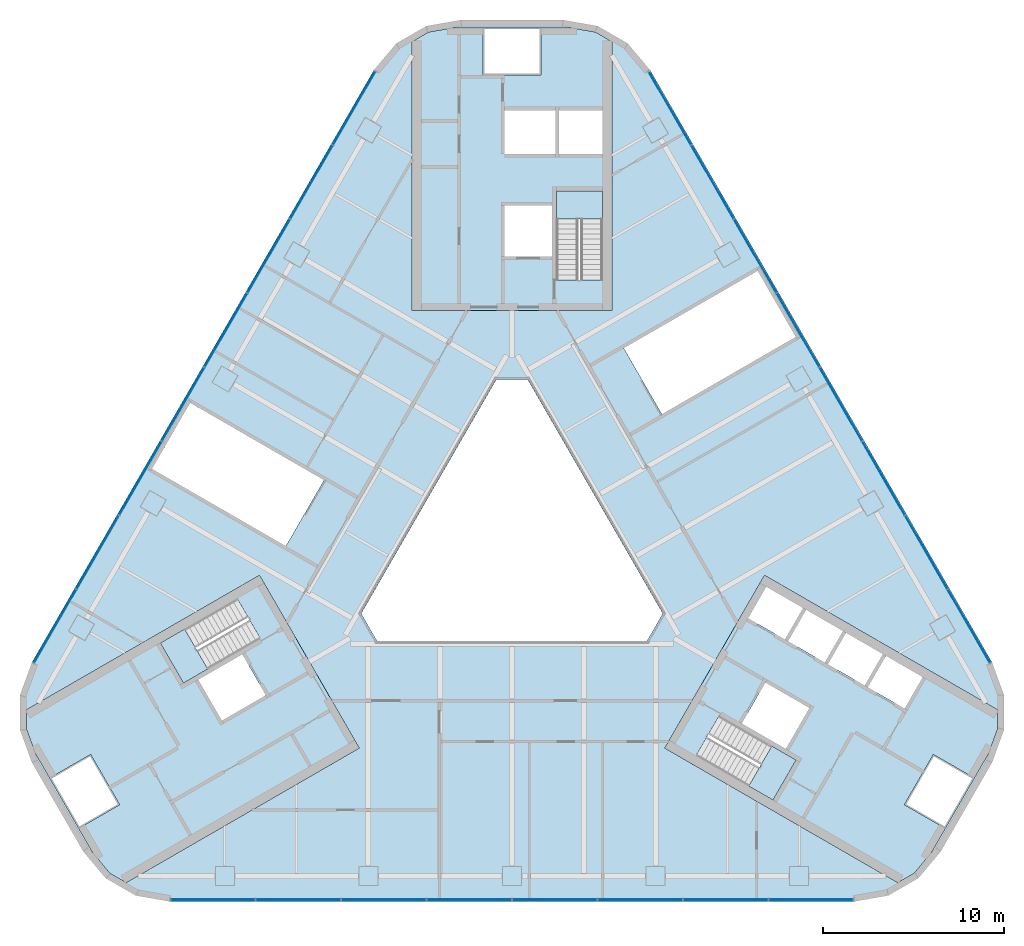
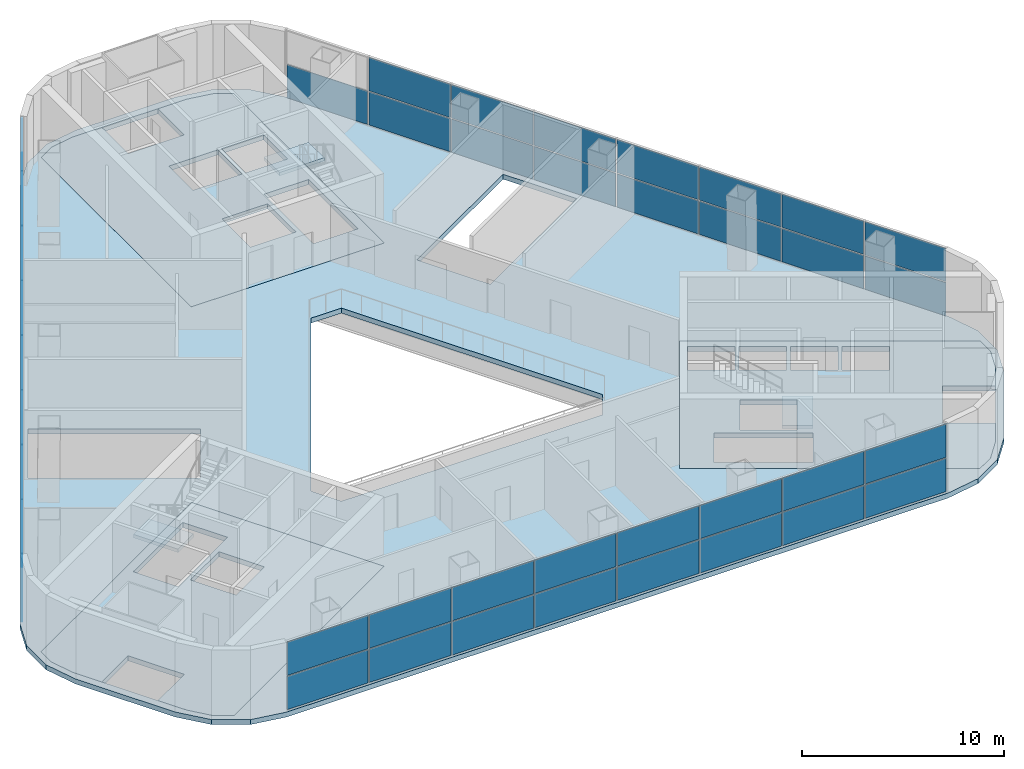
# One storey, part 6 of 12: 47 plates, 7 slabs, 6 elements without a shape of their own.
"""IFC4 building model written with IfcOpenShell, lengths in metres."""

from ifc_helpers import new_model, si_unit, direction, frame, origin, origin_2d, place, context, subcontext, project, spatial, polyline, rectangle, outline, extrude, material, layer, layer_set, type_object, element, aggregate, save


model = new_model("IFC4")

# Units and contexts
model_context = context("Model", 3, precision=1e-05, world=origin(), true_north=direction((0.0, 1.0)))
body_context = subcontext(model_context, "Body", "Model", "MODEL_VIEW")
ifc_project = project(units=[si_unit("LENGTHUNIT", "METRE"), si_unit("AREAUNIT", "SQUARE_METRE"), si_unit("VOLUMEUNIT", "CUBIC_METRE"), si_unit("PLANEANGLEUNIT", "RADIAN"), si_unit("MASSUNIT", "GRAM", prefix="KILO")], contexts=[model_context])

# Site, building, storey
site_placement = place(None, origin())
site = spatial("IfcSite", under=ifc_project, at=site_placement, CompositionType="ELEMENT")
building_placement = place(site_placement, origin())
building = spatial("IfcBuilding", under=site, at=building_placement, Name="Apuvela Tower Hotel", CompositionType="ELEMENT")
storey_placement = place(building_placement, frame((0.0, 0.0, 33.0)))
storey = spatial("IfcBuildingStorey", under=building, at=storey_placement, Name="L05", CompositionType="ELEMENT", Elevation=33.0)

# Slabs
ifc_material_1 = material(Name="Concrete C50/60", Category="concrete")
ifc_layer_1 = layer(ifc_material_1, 0.300048828125)
ifc_layer_set_1 = layer_set([ifc_layer_1], Name="COR-FLOOR-300")
slab_type_1 = type_object("IfcSlabType", Name="COR-FLOOR-300", PredefinedType="FLOOR", material=ifc_layer_set_1)
slab_1_placement = place(storey_placement, frame((0.0, 0.0, -0.300048828125)))
element("IfcSlab", 1, at=slab_1_placement, inside=storey, type_object=slab_type_1, Name="Core floor N", PredefinedType="FLOOR", context=body_context, shape_type="SweptSolid", body=[
    extrude(outline(polyline([(5.5, 27.741455078125), (4.599609375, 28.26123046875), (3.24609375, 28.5), (1.60009765625, 28.5), (1.60009765625, 25.89990234375), (-1.60009765625, 25.89990234375), (-1.60009765625, 28.5), (-3.24609375, 28.5), (-4.599609375, 28.26123046875), (-5.5, 27.741455078125), (-5.5, 12.89990234375), (5.5, 12.89990234375), (5.5, 27.741455078125)]), holes=[polyline([(5.0, 14.60595703125), (2.449951171875, 14.60595703125), (2.449951171875, 19.5), (5.0, 19.5), (5.0, 14.60595703125)]), polyline([(2.199951171875, 15.89990234375), (-0.39990234375, 15.89990234375), (-0.39990234375, 18.699951171875), (2.199951171875, 18.699951171875), (2.199951171875, 15.89990234375)]), polyline([(5.0, 21.550048828125), (2.60009765625, 21.550048828125), (2.60009765625, 23.949951171875), (5.0, 23.949951171875), (5.0, 21.550048828125)]), polyline([(2.39990234375, 21.550048828125), (-0.39990234375, 21.550048828125), (-0.39990234375, 23.949951171875), (2.39990234375, 23.949951171875), (2.39990234375, 21.550048828125)])]), origin(), (0.0, 0.0, 1.0), 0.300048828125),
])
slab_2_placement = place(storey_placement, frame((0.0, 0.0, -0.300048828125)))
element("IfcSlab", 2, at=slab_2_placement, inside=storey, type_object=slab_type_1, Name="Core floor SW", PredefinedType="FLOOR", context=body_context, shape_type="SweptSolid", body=[
    extrude(outline(polyline([(-26.77490234375, -9.107666015625), (-26.77490234375, -10.147216796875), (-26.3046875, -11.43896484375), (-25.481689453125, -12.864501953125), (-23.22998046875, -11.564453125), (-21.630126953125, -14.335693359375), (-23.881591796875, -15.635498046875), (-23.05859375, -17.06103515625), (-22.17529296875, -18.114013671875), (-21.27490234375, -18.6337890625), (-8.421630859375, -11.213134765625), (-13.921630859375, -1.68701171875), (-26.77490234375, -9.107666015625)]), holes=[polyline([(-13.874267578125, -5.18115234375), (-18.112548828125, -7.628173828125), (-19.387451171875, -5.419921875), (-15.149169921875, -2.972900390625), (-13.874267578125, -5.18115234375)]), polyline([(-13.56982421875, -8.29638671875), (-15.99462890625, -9.6962890625), (-17.294677734375, -7.444580078125), (-14.869873046875, -6.044677734375), (-13.56982421875, -8.29638671875)])]), origin(), (0.0, 0.0, 1.0), 0.300048828125),
])
slab_3_placement = place(storey_placement, frame((0.0, 0.0, -0.300048828125)))
element("IfcSlab", 3, at=slab_3_placement, inside=storey, type_object=slab_type_1, Name="Core floor SE", PredefinedType="FLOOR", context=body_context, shape_type="SweptSolid", body=[
    extrude(outline(polyline([(21.27490234375, -18.6337890625), (22.17529296875, -18.114013671875), (23.05859375, -17.06103515625), (23.881591796875, -15.635498046875), (21.630126953125, -14.335693359375), (23.22998046875, -11.564453125), (25.481689453125, -12.864501953125), (26.3046875, -11.43896484375), (26.77490234375, -10.147216796875), (26.77490234375, -9.107666015625), (13.921630859375, -1.68701171875), (8.421630859375, -11.213134765625), (21.27490234375, -18.6337890625)]), holes=[polyline([(13.01806640625, -4.052001953125), (14.01806640625, -2.31982421875), (16.044677734375, -3.489990234375), (15.044677734375, -5.221923828125), (13.01806640625, -4.052001953125)]), polyline([(17.244384765625, -6.491943359375), (15.2177734375, -5.322021484375), (16.2177734375, -3.58984375), (18.244384765625, -4.760009765625), (17.244384765625, -6.491943359375)]), polyline([(14.387451171875, -14.080078125), (10.149169921875, -11.633056640625), (11.42431640625, -9.4248046875), (15.66259765625, -11.871826171875), (14.387451171875, -14.080078125)]), polyline([(12.669921875, -9.855224609375), (13.9697265625, -7.603515625), (16.394775390625, -9.003662109375), (15.0947265625, -11.25537109375), (12.669921875, -9.855224609375)]), polyline([(19.444091796875, -7.761962890625), (17.41748046875, -6.591796875), (18.41748046875, -4.85986328125), (20.444091796875, -6.02978515625), (19.444091796875, -7.761962890625)]), polyline([(21.643798828125, -9.031982421875), (19.6171875, -7.86181640625), (20.6171875, -6.1298828125), (22.643798828125, -7.2998046875), (21.643798828125, -9.031982421875)])]), origin(), (0.0, 0.0, 1.0), 0.300048828125),
])

# Stair, slab
stair_type = type_object("IfcStairType", Name="COR-STAIR-26R", PredefinedType="HALF_TURN_STAIR", material=ifc_material_1)
stair_1_placement = place(storey_placement, origin())
stair_1 = element("IfcStair", 4, at=stair_1_placement, inside=storey, type_object=stair_type, Name="L05 Exit stair ST1", PredefinedType="HALF_TURN_STAIR")
ifc_layer_2 = layer(ifc_material_1, 0.199951171875)
ifc_layer_set_2 = layer_set([ifc_layer_2], Name="COR-LANDING-200")
slab_type_2 = type_object("IfcSlabType", Name="COR-LANDING-200", PredefinedType="LANDING", material=ifc_layer_set_2)
slab_4_placement = place(storey_placement, frame((0.0, 0.0, 2.050048828125)))
slab_4 = element("IfcSlab", 5, at=slab_4_placement, type_object=slab_type_2, Name="ST1 landing 1", PredefinedType="LANDING", context=body_context, shape_type="SweptSolid", body=[
    extrude(outline(polyline([(5.0, 17.9541015625), (5.0, 19.5), (2.449951171875, 19.5), (2.449951171875, 17.9541015625), (5.0, 17.9541015625)])), origin(), (0.0, 0.0, 1.0), 0.199951171875),
])
aggregate(stair_1, [slab_4])

stair_2_placement = place(storey_placement, origin())
stair_2 = element("IfcStair", 6, at=stair_2_placement, inside=storey, type_object=stair_type, Name="L05 Exit stair ST2", PredefinedType="HALF_TURN_STAIR")
slab_5_placement = place(storey_placement, frame((0.0, 0.0, 2.050048828125)))
slab_5 = element("IfcSlab", 7, at=slab_5_placement, type_object=slab_type_2, Name="ST2 landing 1", PredefinedType="LANDING", context=body_context, shape_type="SweptSolid", body=[
    extrude(outline(polyline([(-18.048583984375, -4.64697265625), (-19.387451171875, -5.419921875), (-18.112548828125, -7.628173828125), (-16.773681640625, -6.855224609375), (-18.048583984375, -4.64697265625)])), origin(), (0.0, 0.0, 1.0), 0.199951171875),
])
aggregate(stair_2, [slab_5])

stair_3_placement = place(storey_placement, origin())
stair_3 = element("IfcStair", 8, at=stair_3_placement, inside=storey, type_object=stair_type, Name="L05 Exit stair ST3", PredefinedType="HALF_TURN_STAIR")
slab_6_placement = place(storey_placement, frame((0.0, 0.0, 2.050048828125)))
slab_6 = element("IfcSlab", 9, at=slab_6_placement, type_object=slab_type_2, Name="ST3 landing 1", PredefinedType="LANDING", context=body_context, shape_type="SweptSolid", body=[
    extrude(outline(polyline([(13.048583984375, -13.30712890625), (14.387451171875, -14.080078125), (15.66259765625, -11.871826171875), (14.32373046875, -11.098876953125), (13.048583984375, -13.30712890625)])), origin(), (0.0, 0.0, 1.0), 0.199951171875),
])
aggregate(stair_3, [slab_6])

# Curtain wall, plates
ifc_material_2 = material(Name="Aluminium 6063-T6, dark bronze anodised", Category="aluminium")
ifc_layer_3 = layer(ifc_material_2, 0.199951171875)
ifc_layer_set_3 = layer_set([ifc_layer_3], Name="ENV-CW-P")
curtain_wall_type = type_object("IfcCurtainWallType", Name="ENV-CW-P", PredefinedType="NOTDEFINED", material=ifc_layer_set_3)
curtain_wall_1_placement = place(storey_placement, origin())
curtain_wall_1 = element("IfcCurtainWall", 10, at=curtain_wall_1_placement, inside=storey, type_object=curtain_wall_type, Name="Curtain wall CW-P S L05", PredefinedType="NOTDEFINED")
ifc_material_3 = material(Name="Glass, dark tinted laminated insulated glazing unit", Category="glass")
ifc_layer_4 = layer(ifc_material_3, 0.0400390625)
ifc_layer_set_4 = layer_set([ifc_layer_4], Name="ENV-PANEL-IGU-40")
plate_type = type_object("IfcPlateType", Name="ENV-PANEL-IGU-40", PredefinedType="CURTAIN_PANEL", material=ifc_layer_set_4)
plate_1_placement = place(storey_placement, frame((-16.486328125, -19.576171875, 0.06494140625), z_axis=(0.0, 0.0, 1.0), x_axis=(1.0, 0.0, 0.0)))
plate_1 = element("IfcPlate", 11, at=plate_1_placement, type_object=plate_type, Name="CW-P panel 1.1", PredefinedType="CURTAIN_PANEL", context=body_context, shape_type="SweptSolid", body=[
    extrude(rectangle(XDim=4.617431640625, YDim=0.0400390625, at=origin_2d()), origin(), (0.0, 0.0, 1.0), 2.00244140625),
])
plate_2_placement = place(storey_placement, frame((-16.486328125, -19.576171875, 2.132568359375), z_axis=(0.0, 0.0, 1.0), x_axis=(1.0, 0.0, 0.0)))
plate_2 = element("IfcPlate", 12, at=plate_2_placement, type_object=plate_type, Name="CW-P panel 1.2", PredefinedType="CURTAIN_PANEL", context=body_context, shape_type="SweptSolid", body=[
    extrude(rectangle(XDim=4.617431640625, YDim=0.0400390625, at=origin_2d()), origin(), (0.0, 0.0, 1.0), 2.00244140625),
])
plate_3_placement = place(storey_placement, frame((-11.78759765625, -19.576171875, 0.06494140625), z_axis=(0.0, 0.0, 1.0), x_axis=(1.0, 0.0, 0.0)))
plate_3 = element("IfcPlate", 13, at=plate_3_placement, type_object=plate_type, Name="CW-P panel 2.1", PredefinedType="CURTAIN_PANEL", context=body_context, shape_type="SweptSolid", body=[
    extrude(rectangle(XDim=4.64990234375, YDim=0.0400390625, at=origin_2d()), origin(), (0.0, 0.0, 1.0), 2.00244140625),
])
plate_4_placement = place(storey_placement, frame((-11.78759765625, -19.576171875, 2.132568359375), z_axis=(0.0, 0.0, 1.0), x_axis=(1.0, 0.0, 0.0)))
plate_4 = element("IfcPlate", 14, at=plate_4_placement, type_object=plate_type, Name="CW-P panel 2.2", PredefinedType="CURTAIN_PANEL", context=body_context, shape_type="SweptSolid", body=[
    extrude(rectangle(XDim=4.64990234375, YDim=0.0400390625, at=origin_2d()), origin(), (0.0, 0.0, 1.0), 2.00244140625),
])
plate_5_placement = place(storey_placement, frame((-7.072509765625, -19.576171875, 0.06494140625), z_axis=(0.0, 0.0, 1.0), x_axis=(1.0, 0.0, 0.0)))
plate_5 = element("IfcPlate", 15, at=plate_5_placement, type_object=plate_type, Name="CW-P panel 3.1", PredefinedType="CURTAIN_PANEL", context=body_context, shape_type="SweptSolid", body=[
    extrude(rectangle(XDim=4.64990234375, YDim=0.0400390625, at=origin_2d()), origin(), (0.0, 0.0, 1.0), 2.00244140625),
])
plate_6_placement = place(storey_placement, frame((-7.072509765625, -19.576171875, 2.132568359375), z_axis=(0.0, 0.0, 1.0), x_axis=(1.0, 0.0, 0.0)))
plate_6 = element("IfcPlate", 16, at=plate_6_placement, type_object=plate_type, Name="CW-P panel 3.2", PredefinedType="CURTAIN_PANEL", context=body_context, shape_type="SweptSolid", body=[
    extrude(rectangle(XDim=4.64990234375, YDim=0.0400390625, at=origin_2d()), origin(), (0.0, 0.0, 1.0), 2.00244140625),
])
plate_7_placement = place(storey_placement, frame((-2.357421875, -19.576171875, 0.06494140625), z_axis=(0.0, 0.0, 1.0), x_axis=(1.0, 0.0, 0.0)))
plate_7 = element("IfcPlate", 17, at=plate_7_placement, type_object=plate_type, Name="CW-P panel 4.1", PredefinedType="CURTAIN_PANEL", context=body_context, shape_type="SweptSolid", body=[
    extrude(rectangle(XDim=4.64990234375, YDim=0.0400390625, at=origin_2d()), origin(), (0.0, 0.0, 1.0), 2.00244140625),
])
plate_8_placement = place(storey_placement, frame((-2.357421875, -19.576171875, 2.132568359375), z_axis=(0.0, 0.0, 1.0), x_axis=(1.0, 0.0, 0.0)))
plate_8 = element("IfcPlate", 18, at=plate_8_placement, type_object=plate_type, Name="CW-P panel 4.2", PredefinedType="CURTAIN_PANEL", context=body_context, shape_type="SweptSolid", body=[
    extrude(rectangle(XDim=4.64990234375, YDim=0.0400390625, at=origin_2d()), origin(), (0.0, 0.0, 1.0), 2.00244140625),
])
plate_9_placement = place(storey_placement, frame((2.357421875, -19.576171875, 0.06494140625), z_axis=(0.0, 0.0, 1.0), x_axis=(1.0, 0.0, 0.0)))
plate_9 = element("IfcPlate", 19, at=plate_9_placement, type_object=plate_type, Name="CW-P panel 5.1", PredefinedType="CURTAIN_PANEL", context=body_context, shape_type="SweptSolid", body=[
    extrude(rectangle(XDim=4.64990234375, YDim=0.0400390625, at=origin_2d()), origin(), (0.0, 0.0, 1.0), 2.00244140625),
])
plate_10_placement = place(storey_placement, frame((2.357421875, -19.576171875, 2.132568359375), z_axis=(0.0, 0.0, 1.0), x_axis=(1.0, 0.0, 0.0)))
plate_10 = element("IfcPlate", 20, at=plate_10_placement, type_object=plate_type, Name="CW-P panel 5.2", PredefinedType="CURTAIN_PANEL", context=body_context, shape_type="SweptSolid", body=[
    extrude(rectangle(XDim=4.64990234375, YDim=0.0400390625, at=origin_2d()), origin(), (0.0, 0.0, 1.0), 2.00244140625),
])
plate_11_placement = place(storey_placement, frame((7.072509765625, -19.576171875, 0.06494140625), z_axis=(0.0, 0.0, 1.0), x_axis=(1.0, 0.0, 0.0)))
plate_11 = element("IfcPlate", 21, at=plate_11_placement, type_object=plate_type, Name="CW-P panel 6.1", PredefinedType="CURTAIN_PANEL", context=body_context, shape_type="SweptSolid", body=[
    extrude(rectangle(XDim=4.64990234375, YDim=0.0400390625, at=origin_2d()), origin(), (0.0, 0.0, 1.0), 2.00244140625),
])
plate_12_placement = place(storey_placement, frame((7.072509765625, -19.576171875, 2.132568359375), z_axis=(0.0, 0.0, 1.0), x_axis=(1.0, 0.0, 0.0)))
plate_12 = element("IfcPlate", 22, at=plate_12_placement, type_object=plate_type, Name="CW-P panel 6.2", PredefinedType="CURTAIN_PANEL", context=body_context, shape_type="SweptSolid", body=[
    extrude(rectangle(XDim=4.64990234375, YDim=0.0400390625, at=origin_2d()), origin(), (0.0, 0.0, 1.0), 2.00244140625),
])
plate_13_placement = place(storey_placement, frame((11.78759765625, -19.576171875, 0.06494140625), z_axis=(0.0, 0.0, 1.0), x_axis=(1.0, 0.0, 0.0)))
plate_13 = element("IfcPlate", 23, at=plate_13_placement, type_object=plate_type, Name="CW-P panel 7.1", PredefinedType="CURTAIN_PANEL", context=body_context, shape_type="SweptSolid", body=[
    extrude(rectangle(XDim=4.64990234375, YDim=0.0400390625, at=origin_2d()), origin(), (0.0, 0.0, 1.0), 2.00244140625),
])
plate_14_placement = place(storey_placement, frame((11.78759765625, -19.576171875, 2.132568359375), z_axis=(0.0, 0.0, 1.0), x_axis=(1.0, 0.0, 0.0)))
plate_14 = element("IfcPlate", 24, at=plate_14_placement, type_object=plate_type, Name="CW-P panel 7.2", PredefinedType="CURTAIN_PANEL", context=body_context, shape_type="SweptSolid", body=[
    extrude(rectangle(XDim=4.64990234375, YDim=0.0400390625, at=origin_2d()), origin(), (0.0, 0.0, 1.0), 2.00244140625),
])
plate_15_placement = place(storey_placement, frame((16.486328125, -19.576171875, 0.06494140625), z_axis=(0.0, 0.0, 1.0), x_axis=(1.0, 0.0, 0.0)))
plate_15 = element("IfcPlate", 25, at=plate_15_placement, type_object=plate_type, Name="CW-P panel 8.1", PredefinedType="CURTAIN_PANEL", context=body_context, shape_type="SweptSolid", body=[
    extrude(rectangle(XDim=4.617431640625, YDim=0.0400390625, at=origin_2d()), origin(), (0.0, 0.0, 1.0), 2.00244140625),
])
plate_16_placement = place(storey_placement, frame((16.486328125, -19.576171875, 2.132568359375), z_axis=(0.0, 0.0, 1.0), x_axis=(1.0, 0.0, 0.0)))
plate_16 = element("IfcPlate", 26, at=plate_16_placement, type_object=plate_type, Name="CW-P panel 8.2", PredefinedType="CURTAIN_PANEL", context=body_context, shape_type="SweptSolid", body=[
    extrude(rectangle(XDim=4.617431640625, YDim=0.0400390625, at=origin_2d()), origin(), (0.0, 0.0, 1.0), 2.00244140625),
])
aggregate(curtain_wall_1, [plate_1, plate_2, plate_3, plate_4, plate_5, plate_6, plate_7, plate_8, plate_9, plate_10, plate_11, plate_12, plate_13, plate_14, plate_15, plate_16])

curtain_wall_2_placement = place(storey_placement, origin())
curtain_wall_2 = element("IfcCurtainWall", 27, at=curtain_wall_2_placement, inside=storey, type_object=curtain_wall_type, Name="Curtain wall CW-P NE L05", PredefinedType="NOTDEFINED")
plate_17_placement = place(storey_placement, frame((25.196533203125, -4.489501953125, 0.06494140625), z_axis=(0.0, 0.0, 1.0), x_axis=(-0.499999750104, 0.866025548062, 0.0)))
plate_17 = element("IfcPlate", 28, at=plate_17_placement, type_object=plate_type, Name="CW-P panel 1.1", PredefinedType="CURTAIN_PANEL", context=body_context, shape_type="SweptSolid", body=[
    extrude(rectangle(XDim=4.617431640625, YDim=0.0400390625, at=origin_2d()), origin(), (0.0, 0.0, 1.0), 2.00244140625),
])
plate_18_placement = place(storey_placement, frame((25.196533203125, -4.489501953125, 2.132568359375), z_axis=(0.0, 0.0, 1.0), x_axis=(-0.499999750104, 0.866025548062, 0.0)))
plate_18 = element("IfcPlate", 29, at=plate_18_placement, type_object=plate_type, Name="CW-P panel 1.2", PredefinedType="CURTAIN_PANEL", context=body_context, shape_type="SweptSolid", body=[
    extrude(rectangle(XDim=4.617431640625, YDim=0.0400390625, at=origin_2d()), origin(), (0.0, 0.0, 1.0), 2.00244140625),
])
plate_19_placement = place(storey_placement, frame((22.84716796875, -0.420166015625, 0.06494140625), z_axis=(0.0, 0.0, 1.0), x_axis=(-0.499999750104, 0.866025548062, 0.0)))
plate_19 = element("IfcPlate", 30, at=plate_19_placement, type_object=plate_type, Name="CW-P panel 2.1", PredefinedType="CURTAIN_PANEL", context=body_context, shape_type="SweptSolid", body=[
    extrude(rectangle(XDim=4.64990234375, YDim=0.0400390625, at=origin_2d()), origin(), (0.0, 0.0, 1.0), 2.00244140625),
])
plate_20_placement = place(storey_placement, frame((22.84716796875, -0.420166015625, 2.132568359375), z_axis=(0.0, 0.0, 1.0), x_axis=(-0.499999750104, 0.866025548062, 0.0)))
plate_20 = element("IfcPlate", 31, at=plate_20_placement, type_object=plate_type, Name="CW-P panel 2.2", PredefinedType="CURTAIN_PANEL", context=body_context, shape_type="SweptSolid", body=[
    extrude(rectangle(XDim=4.64990234375, YDim=0.0400390625, at=origin_2d()), origin(), (0.0, 0.0, 1.0), 2.00244140625),
])
plate_21_placement = place(storey_placement, frame((20.48974609375, 3.6630859375, 0.06494140625), z_axis=(0.0, 0.0, 1.0), x_axis=(-0.499999750104, 0.866025548062, 0.0)))
plate_21 = element("IfcPlate", 32, at=plate_21_placement, type_object=plate_type, Name="CW-P panel 3.1", PredefinedType="CURTAIN_PANEL", context=body_context, shape_type="SweptSolid", body=[
    extrude(rectangle(XDim=4.64990234375, YDim=0.0400390625, at=origin_2d()), origin(), (0.0, 0.0, 1.0), 2.00244140625),
])
plate_22_placement = place(storey_placement, frame((20.48974609375, 3.6630859375, 2.132568359375), z_axis=(0.0, 0.0, 1.0), x_axis=(-0.499999750104, 0.866025548062, 0.0)))
plate_22 = element("IfcPlate", 33, at=plate_22_placement, type_object=plate_type, Name="CW-P panel 3.2", PredefinedType="CURTAIN_PANEL", context=body_context, shape_type="SweptSolid", body=[
    extrude(rectangle(XDim=4.64990234375, YDim=0.0400390625, at=origin_2d()), origin(), (0.0, 0.0, 1.0), 2.00244140625),
])
plate_23_placement = place(storey_placement, frame((18.132080078125, 7.746337890625, 0.06494140625), z_axis=(0.0, 0.0, 1.0), x_axis=(-0.499999750104, 0.866025548062, 0.0)))
plate_23 = element("IfcPlate", 34, at=plate_23_placement, type_object=plate_type, Name="CW-P panel 4.1", PredefinedType="CURTAIN_PANEL", context=body_context, shape_type="SweptSolid", body=[
    extrude(rectangle(XDim=4.64990234375, YDim=0.0400390625, at=origin_2d()), origin(), (0.0, 0.0, 1.0), 2.00244140625),
])
plate_24_placement = place(storey_placement, frame((18.132080078125, 7.746337890625, 2.132568359375), z_axis=(0.0, 0.0, 1.0), x_axis=(-0.499999750104, 0.866025548062, 0.0)))
plate_24 = element("IfcPlate", 35, at=plate_24_placement, type_object=plate_type, Name="CW-P panel 4.2", PredefinedType="CURTAIN_PANEL", context=body_context, shape_type="SweptSolid", body=[
    extrude(rectangle(XDim=4.64990234375, YDim=0.0400390625, at=origin_2d()), origin(), (0.0, 0.0, 1.0), 2.00244140625),
])
plate_25_placement = place(storey_placement, frame((15.774658203125, 11.82958984375, 0.06494140625), z_axis=(0.0, 0.0, 1.0), x_axis=(-0.499999750104, 0.866025548062, 0.0)))
plate_25 = element("IfcPlate", 36, at=plate_25_placement, type_object=plate_type, Name="CW-P panel 5.1", PredefinedType="CURTAIN_PANEL", context=body_context, shape_type="SweptSolid", body=[
    extrude(rectangle(XDim=4.64990234375, YDim=0.0400390625, at=origin_2d()), origin(), (0.0, 0.0, 1.0), 2.00244140625),
])
plate_26_placement = place(storey_placement, frame((15.774658203125, 11.82958984375, 2.132568359375), z_axis=(0.0, 0.0, 1.0), x_axis=(-0.499999750104, 0.866025548062, 0.0)))
plate_26 = element("IfcPlate", 37, at=plate_26_placement, type_object=plate_type, Name="CW-P panel 5.2", PredefinedType="CURTAIN_PANEL", context=body_context, shape_type="SweptSolid", body=[
    extrude(rectangle(XDim=4.64990234375, YDim=0.0400390625, at=origin_2d()), origin(), (0.0, 0.0, 1.0), 2.00244140625),
])
plate_27_placement = place(storey_placement, frame((13.417236328125, 15.9130859375, 0.06494140625), z_axis=(0.0, 0.0, 1.0), x_axis=(-0.499999750104, 0.866025548062, 0.0)))
plate_27 = element("IfcPlate", 38, at=plate_27_placement, type_object=plate_type, Name="CW-P panel 6.1", PredefinedType="CURTAIN_PANEL", context=body_context, shape_type="SweptSolid", body=[
    extrude(rectangle(XDim=4.64990234375, YDim=0.0400390625, at=origin_2d()), origin(), (0.0, 0.0, 1.0), 2.00244140625),
])
plate_28_placement = place(storey_placement, frame((13.417236328125, 15.9130859375, 2.132568359375), z_axis=(0.0, 0.0, 1.0), x_axis=(-0.499999750104, 0.866025548062, 0.0)))
plate_28 = element("IfcPlate", 39, at=plate_28_placement, type_object=plate_type, Name="CW-P panel 6.2", PredefinedType="CURTAIN_PANEL", context=body_context, shape_type="SweptSolid", body=[
    extrude(rectangle(XDim=4.64990234375, YDim=0.0400390625, at=origin_2d()), origin(), (0.0, 0.0, 1.0), 2.00244140625),
])
plate_29_placement = place(storey_placement, frame((11.0595703125, 19.996337890625, 0.06494140625), z_axis=(0.0, 0.0, 1.0), x_axis=(-0.499999750104, 0.866025548062, 0.0)))
plate_29 = element("IfcPlate", 40, at=plate_29_placement, type_object=plate_type, Name="CW-P panel 7.1", PredefinedType="CURTAIN_PANEL", context=body_context, shape_type="SweptSolid", body=[
    extrude(rectangle(XDim=4.64990234375, YDim=0.0400390625, at=origin_2d()), origin(), (0.0, 0.0, 1.0), 2.00244140625),
])
plate_30_placement = place(storey_placement, frame((11.0595703125, 19.996337890625, 2.132568359375), z_axis=(0.0, 0.0, 1.0), x_axis=(-0.499999750104, 0.866025548062, 0.0)))
plate_30 = element("IfcPlate", 41, at=plate_30_placement, type_object=plate_type, Name="CW-P panel 7.2", PredefinedType="CURTAIN_PANEL", context=body_context, shape_type="SweptSolid", body=[
    extrude(rectangle(XDim=4.64990234375, YDim=0.0400390625, at=origin_2d()), origin(), (0.0, 0.0, 1.0), 2.00244140625),
])
plate_31_placement = place(storey_placement, frame((8.710205078125, 24.065673828125, 0.06494140625), z_axis=(0.0, 0.0, 1.0), x_axis=(-0.499999750104, 0.866025548062, 0.0)))
plate_31 = element("IfcPlate", 42, at=plate_31_placement, type_object=plate_type, Name="CW-P panel 8.1", PredefinedType="CURTAIN_PANEL", context=body_context, shape_type="SweptSolid", body=[
    extrude(rectangle(XDim=4.617431640625, YDim=0.0400390625, at=origin_2d()), origin(), (0.0, 0.0, 1.0), 2.00244140625),
])
aggregate(curtain_wall_2, [plate_17, plate_18, plate_19, plate_20, plate_21, plate_22, plate_23, plate_24, plate_25, plate_26, plate_27, plate_28, plate_29, plate_30, plate_31])

curtain_wall_3_placement = place(storey_placement, origin())
curtain_wall_3 = element("IfcCurtainWall", 43, at=curtain_wall_3_placement, inside=storey, type_object=curtain_wall_type, Name="Curtain wall CW-P NW L05", PredefinedType="NOTDEFINED")
plate_32_placement = place(storey_placement, frame((-8.710205078125, 24.065673828125, 0.06494140625), z_axis=(0.0, 0.0, 1.0), x_axis=(-0.499999750104, -0.866025548062, 0.0)))
plate_32 = element("IfcPlate", 44, at=plate_32_placement, type_object=plate_type, Name="CW-P panel 1.1", PredefinedType="CURTAIN_PANEL", context=body_context, shape_type="SweptSolid", body=[
    extrude(rectangle(XDim=4.617431640625, YDim=0.0400390625, at=origin_2d()), origin(), (0.0, 0.0, 1.0), 2.00244140625),
])
plate_33_placement = place(storey_placement, frame((-8.710205078125, 24.065673828125, 2.132568359375), z_axis=(0.0, 0.0, 1.0), x_axis=(-0.499999750104, -0.866025548062, 0.0)))
plate_33 = element("IfcPlate", 45, at=plate_33_placement, type_object=plate_type, Name="CW-P panel 1.2", PredefinedType="CURTAIN_PANEL", context=body_context, shape_type="SweptSolid", body=[
    extrude(rectangle(XDim=4.617431640625, YDim=0.0400390625, at=origin_2d()), origin(), (0.0, 0.0, 1.0), 2.00244140625),
])
plate_34_placement = place(storey_placement, frame((-11.0595703125, 19.996337890625, 0.06494140625), z_axis=(0.0, 0.0, 1.0), x_axis=(-0.499999750104, -0.866025548062, 0.0)))
plate_34 = element("IfcPlate", 46, at=plate_34_placement, type_object=plate_type, Name="CW-P panel 2.1", PredefinedType="CURTAIN_PANEL", context=body_context, shape_type="SweptSolid", body=[
    extrude(rectangle(XDim=4.64990234375, YDim=0.0400390625, at=origin_2d()), origin(), (0.0, 0.0, 1.0), 2.00244140625),
])
plate_35_placement = place(storey_placement, frame((-11.0595703125, 19.996337890625, 2.132568359375), z_axis=(0.0, 0.0, 1.0), x_axis=(-0.499999750104, -0.866025548062, 0.0)))
plate_35 = element("IfcPlate", 47, at=plate_35_placement, type_object=plate_type, Name="CW-P panel 2.2", PredefinedType="CURTAIN_PANEL", context=body_context, shape_type="SweptSolid", body=[
    extrude(rectangle(XDim=4.64990234375, YDim=0.0400390625, at=origin_2d()), origin(), (0.0, 0.0, 1.0), 2.00244140625),
])
plate_36_placement = place(storey_placement, frame((-13.417236328125, 15.9130859375, 0.06494140625), z_axis=(0.0, 0.0, 1.0), x_axis=(-0.499999750104, -0.866025548062, 0.0)))
plate_36 = element("IfcPlate", 48, at=plate_36_placement, type_object=plate_type, Name="CW-P panel 3.1", PredefinedType="CURTAIN_PANEL", context=body_context, shape_type="SweptSolid", body=[
    extrude(rectangle(XDim=4.64990234375, YDim=0.0400390625, at=origin_2d()), origin(), (0.0, 0.0, 1.0), 2.00244140625),
])
plate_37_placement = place(storey_placement, frame((-13.417236328125, 15.9130859375, 2.132568359375), z_axis=(0.0, 0.0, 1.0), x_axis=(-0.499999750104, -0.866025548062, 0.0)))
plate_37 = element("IfcPlate", 49, at=plate_37_placement, type_object=plate_type, Name="CW-P panel 3.2", PredefinedType="CURTAIN_PANEL", context=body_context, shape_type="SweptSolid", body=[
    extrude(rectangle(XDim=4.64990234375, YDim=0.0400390625, at=origin_2d()), origin(), (0.0, 0.0, 1.0), 2.00244140625),
])
plate_38_placement = place(storey_placement, frame((-15.774658203125, 11.82958984375, 0.06494140625), z_axis=(0.0, 0.0, 1.0), x_axis=(-0.499999750104, -0.866025548062, 0.0)))
plate_38 = element("IfcPlate", 50, at=plate_38_placement, type_object=plate_type, Name="CW-P panel 4.1", PredefinedType="CURTAIN_PANEL", context=body_context, shape_type="SweptSolid", body=[
    extrude(rectangle(XDim=4.64990234375, YDim=0.0400390625, at=origin_2d()), origin(), (0.0, 0.0, 1.0), 2.00244140625),
])
plate_39_placement = place(storey_placement, frame((-15.774658203125, 11.82958984375, 2.132568359375), z_axis=(0.0, 0.0, 1.0), x_axis=(-0.499999750104, -0.866025548062, 0.0)))
plate_39 = element("IfcPlate", 51, at=plate_39_placement, type_object=plate_type, Name="CW-P panel 4.2", PredefinedType="CURTAIN_PANEL", context=body_context, shape_type="SweptSolid", body=[
    extrude(rectangle(XDim=4.64990234375, YDim=0.0400390625, at=origin_2d()), origin(), (0.0, 0.0, 1.0), 2.00244140625),
])
plate_40_placement = place(storey_placement, frame((-18.132080078125, 7.746337890625, 0.06494140625), z_axis=(0.0, 0.0, 1.0), x_axis=(-0.499999750104, -0.866025548062, 0.0)))
plate_40 = element("IfcPlate", 52, at=plate_40_placement, type_object=plate_type, Name="CW-P panel 5.1", PredefinedType="CURTAIN_PANEL", context=body_context, shape_type="SweptSolid", body=[
    extrude(rectangle(XDim=4.64990234375, YDim=0.0400390625, at=origin_2d()), origin(), (0.0, 0.0, 1.0), 2.00244140625),
])
plate_41_placement = place(storey_placement, frame((-18.132080078125, 7.746337890625, 2.132568359375), z_axis=(0.0, 0.0, 1.0), x_axis=(-0.499999750104, -0.866025548062, 0.0)))
plate_41 = element("IfcPlate", 53, at=plate_41_placement, type_object=plate_type, Name="CW-P panel 5.2", PredefinedType="CURTAIN_PANEL", context=body_context, shape_type="SweptSolid", body=[
    extrude(rectangle(XDim=4.64990234375, YDim=0.0400390625, at=origin_2d()), origin(), (0.0, 0.0, 1.0), 2.00244140625),
])
plate_42_placement = place(storey_placement, frame((-20.48974609375, 3.6630859375, 0.06494140625), z_axis=(0.0, 0.0, 1.0), x_axis=(-0.499999750104, -0.866025548062, 0.0)))
plate_42 = element("IfcPlate", 54, at=plate_42_placement, type_object=plate_type, Name="CW-P panel 6.1", PredefinedType="CURTAIN_PANEL", context=body_context, shape_type="SweptSolid", body=[
    extrude(rectangle(XDim=4.64990234375, YDim=0.0400390625, at=origin_2d()), origin(), (0.0, 0.0, 1.0), 2.00244140625),
])
plate_43_placement = place(storey_placement, frame((-20.48974609375, 3.6630859375, 2.132568359375), z_axis=(0.0, 0.0, 1.0), x_axis=(-0.499999750104, -0.866025548062, 0.0)))
plate_43 = element("IfcPlate", 55, at=plate_43_placement, type_object=plate_type, Name="CW-P panel 6.2", PredefinedType="CURTAIN_PANEL", context=body_context, shape_type="SweptSolid", body=[
    extrude(rectangle(XDim=4.64990234375, YDim=0.0400390625, at=origin_2d()), origin(), (0.0, 0.0, 1.0), 2.00244140625),
])
plate_44_placement = place(storey_placement, frame((-22.84716796875, -0.420166015625, 0.06494140625), z_axis=(0.0, 0.0, 1.0), x_axis=(-0.499999750104, -0.866025548062, 0.0)))
plate_44 = element("IfcPlate", 56, at=plate_44_placement, type_object=plate_type, Name="CW-P panel 7.1", PredefinedType="CURTAIN_PANEL", context=body_context, shape_type="SweptSolid", body=[
    extrude(rectangle(XDim=4.64990234375, YDim=0.0400390625, at=origin_2d()), origin(), (0.0, 0.0, 1.0), 2.00244140625),
])
plate_45_placement = place(storey_placement, frame((-22.84716796875, -0.420166015625, 2.132568359375), z_axis=(0.0, 0.0, 1.0), x_axis=(-0.499999750104, -0.866025548062, 0.0)))
plate_45 = element("IfcPlate", 57, at=plate_45_placement, type_object=plate_type, Name="CW-P panel 7.2", PredefinedType="CURTAIN_PANEL", context=body_context, shape_type="SweptSolid", body=[
    extrude(rectangle(XDim=4.64990234375, YDim=0.0400390625, at=origin_2d()), origin(), (0.0, 0.0, 1.0), 2.00244140625),
])
plate_46_placement = place(storey_placement, frame((-25.196533203125, -4.489501953125, 0.06494140625), z_axis=(0.0, 0.0, 1.0), x_axis=(-0.499999750104, -0.866025548062, 0.0)))
plate_46 = element("IfcPlate", 58, at=plate_46_placement, type_object=plate_type, Name="CW-P panel 8.1", PredefinedType="CURTAIN_PANEL", context=body_context, shape_type="SweptSolid", body=[
    extrude(rectangle(XDim=4.617431640625, YDim=0.0400390625, at=origin_2d()), origin(), (0.0, 0.0, 1.0), 2.00244140625),
])
plate_47_placement = place(storey_placement, frame((-25.196533203125, -4.489501953125, 2.132568359375), z_axis=(0.0, 0.0, 1.0), x_axis=(-0.499999750104, -0.866025548062, 0.0)))
plate_47 = element("IfcPlate", 59, at=plate_47_placement, type_object=plate_type, Name="CW-P panel 8.2", PredefinedType="CURTAIN_PANEL", context=body_context, shape_type="SweptSolid", body=[
    extrude(rectangle(XDim=4.617431640625, YDim=0.0400390625, at=origin_2d()), origin(), (0.0, 0.0, 1.0), 2.00244140625),
])
aggregate(curtain_wall_3, [plate_32, plate_33, plate_34, plate_35, plate_36, plate_37, plate_38, plate_39, plate_40, plate_41, plate_42, plate_43, plate_44, plate_45, plate_46, plate_47])

# Slab
ifc_material_4 = material(Name="Concrete C35/45", Category="concrete")
ifc_layer_5 = layer(ifc_material_4, 0.300048828125)
ifc_layer_set_5 = layer_set([ifc_layer_5], Name="STR-SLAB 300 floor Concrete C35/45")
slab_type_3 = type_object("IfcSlabType", Name="STR-SLAB 300 floor Concrete C35/45", PredefinedType="FLOOR", material=ifc_layer_set_5)
slab_7_placement = place(storey_placement, frame((0.0, 0.0, -0.300048828125)))
element("IfcSlab", 60, at=slab_7_placement, inside=storey, type_object=slab_type_3, Name="Floor slab S2 L05", PredefinedType="FLOOR", context=body_context, shape_type="SweptSolid", body=[
    extrude(outline(polyline([(7.610107421875, 26.17138671875), (6.37939453125, 27.637939453125), (4.72119140625, 28.59521484375), (2.835693359375, 28.927734375), (-2.835693359375, 28.927734375), (-4.72119140625, 28.59521484375), (-6.37939453125, 27.637939453125), (-7.610107421875, 26.17138671875), (-26.469970703125, -6.4951171875), (-27.124755859375, -8.29443359375), (-27.124755859375, -10.208984375), (-26.469970703125, -12.008056640625), (-23.63427734375, -16.919677734375), (-22.403564453125, -18.38623046875), (-20.74560546875, -19.343505859375), (-18.860107421875, -19.676025390625), (18.860107421875, -19.676025390625), (20.74560546875, -19.343505859375), (22.403564453125, -18.38623046875), (23.63427734375, -16.919677734375), (26.469970703125, -12.008056640625), (27.124755859375, -10.208984375), (27.124755859375, -8.29443359375), (26.469970703125, -6.4951171875), (7.610107421875, 26.17138671875)]), holes=[polyline([(0.865966796875, 9.10009765625), (-0.865966796875, 9.10009765625), (-8.313720703125, -3.800048828125), (-7.44775390625, -5.300048828125), (7.44775390625, -5.300048828125), (8.313720703125, -3.800048828125), (0.865966796875, 9.10009765625)]), polyline([(-5.5, 12.89990234375), (-5.5, 27.741455078125), (-4.599609375, 28.26123046875), (-3.24609375, 28.5), (3.24609375, 28.5), (4.599609375, 28.26123046875), (5.5, 27.741455078125), (5.5, 12.89990234375), (-5.5, 12.89990234375)]), polyline([(-8.421630859375, -11.213134765625), (-21.27490234375, -18.6337890625), (-22.17529296875, -18.114013671875), (-23.05859375, -17.06103515625), (-26.3046875, -11.43896484375), (-26.77490234375, -10.147216796875), (-26.77490234375, -9.107666015625), (-13.921630859375, -1.68701171875), (-8.421630859375, -11.213134765625)]), polyline([(13.921630859375, -1.68701171875), (26.77490234375, -9.107666015625), (26.77490234375, -10.147216796875), (26.3046875, -11.43896484375), (23.05859375, -17.06103515625), (22.17529296875, -18.114013671875), (21.27490234375, -18.6337890625), (8.421630859375, -11.213134765625), (13.921630859375, -1.68701171875)]), polyline([(8.26416015625, 7.1962890625), (6.1640625, 10.83349609375), (13.543701171875, 15.093994140625), (15.6435546875, 11.456787109375), (8.26416015625, 7.1962890625)]), polyline([(-12.464111328125, -0.07861328125), (-19.843505859375, 4.18212890625), (-17.74365234375, 7.8193359375), (-10.364013671875, 3.558837890625), (-12.464111328125, -0.07861328125)])]), origin(), (0.0, 0.0, 1.0), 0.300048828125),
])

save(model, "model.ifc")
